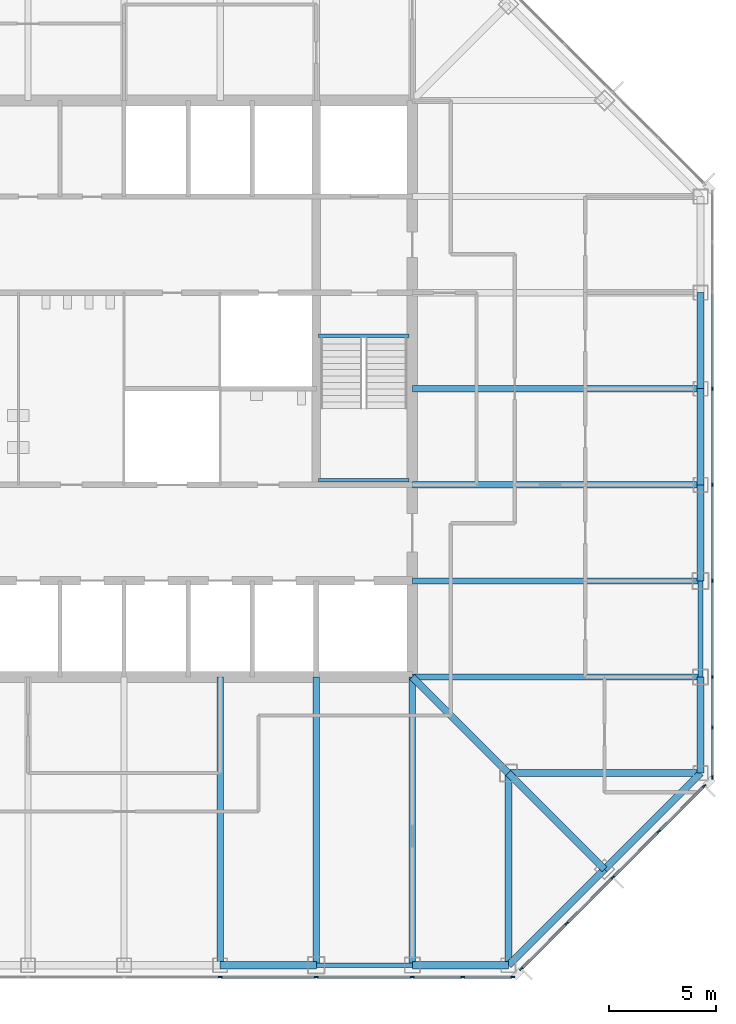
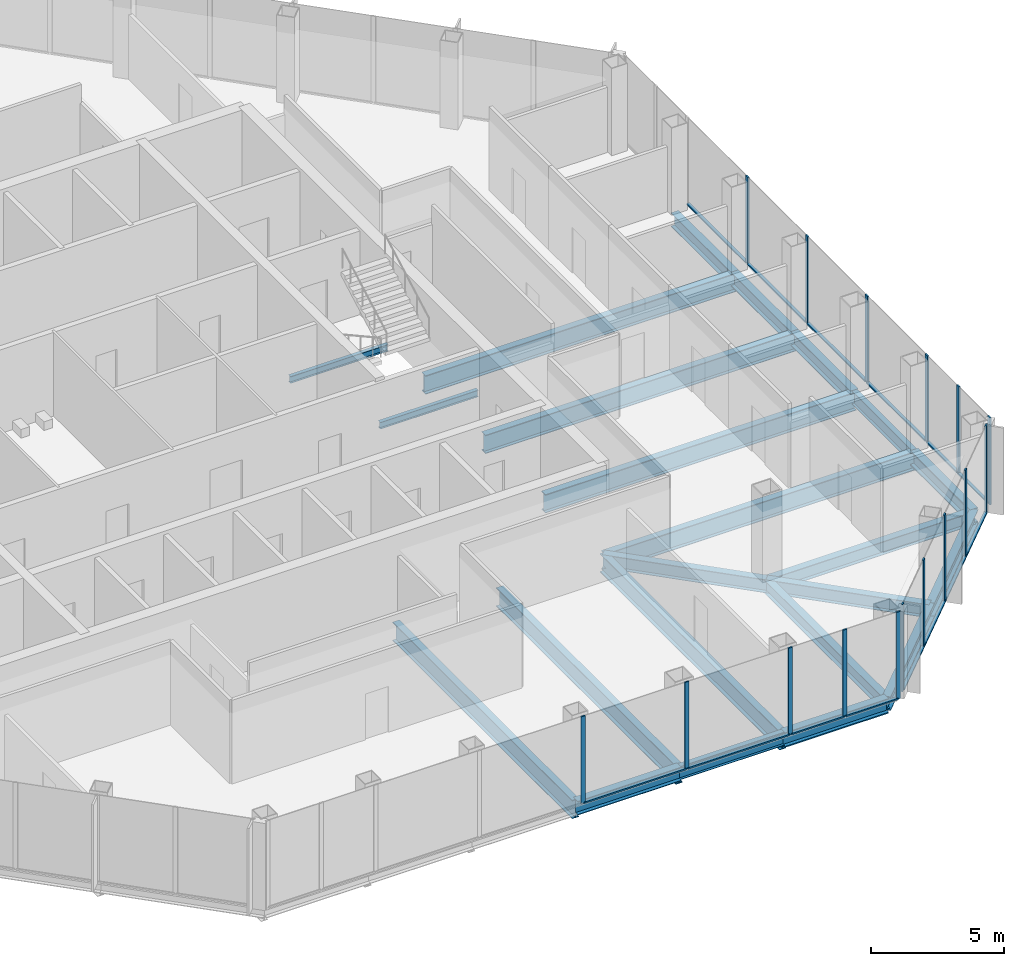
# One storey, part 4 of 13: 30 members, 23 beams, 3 elements without a shape of their own.
"""IFC4 building model written with IfcOpenShell, lengths in metres."""

from ifc_helpers import new_model, si_unit, direction, frame, origin, origin_2d, place, context, subcontext, project, spatial, rectangle, i_section, extrude, material, material_profile, profile_set, type_object, element, aggregate, save


model = new_model("IFC4")

# Units and contexts
model_context = context("Model", 3, precision=1e-05, world=origin(), true_north=direction((0.0, 1.0)))
body_context = subcontext(model_context, "Body", "Model", "MODEL_VIEW")
ifc_project = project(units=[si_unit("LENGTHUNIT", "METRE"), si_unit("AREAUNIT", "SQUARE_METRE"), si_unit("VOLUMEUNIT", "CUBIC_METRE"), si_unit("PLANEANGLEUNIT", "RADIAN"), si_unit("MASSUNIT", "GRAM", prefix="KILO")], contexts=[model_context])

# Site, building, storey
site_placement = place(None, origin())
site = spatial("IfcSite", under=ifc_project, at=site_placement, CompositionType="ELEMENT")
building_placement = place(site_placement, origin())
building = spatial("IfcBuilding", under=site, at=building_placement, Name="Corais Broadcast Tower", CompositionType="ELEMENT")
storey_placement = place(building_placement, frame((0.0, 0.0, 175.60009765625)))
storey = spatial("IfcBuildingStorey", under=building, at=storey_placement, Name="L40", CompositionType="ELEMENT", Elevation=175.60009765625)

# Beams
ifc_material_1 = material(Name="Steel ASTM A572 Grade 50", Category="steel")
ifc_material_profile_1 = material_profile(ifc_material_1, i_section(OverallWidth=0.323974609375, OverallDepth=0.611083984375, WebThickness=0.0126953125, FlangeThickness=0.01904296875, at=origin_2d()), Name="W610x155")
ifc_profile_set_1 = profile_set([ifc_material_profile_1], Name="Steel ASTM A572 Grade 50")
beam_type_1 = type_object("IfcBeamType", Name="Chamfer tie W610x155", PredefinedType="BEAM", material=ifc_profile_set_1)
beam_1_placement = place(storey_placement, frame((49.5, 4.5, -0.465576171875), z_axis=(-0.707106781187, 0.707106781187, 0.0), x_axis=(-0.707106781187, -0.707106781187, 0.0)))
element("IfcBeam", 1, at=beam_1_placement, inside=storey, type_object=beam_type_1, Name="B5 B/14 to C/13", PredefinedType="BEAM", context=body_context, shape_type="SweptSolid", body=[
    extrude(i_section(OverallWidth=0.323974609375, OverallDepth=0.611083984375, WebThickness=0.0126953125, FlangeThickness=0.01904296875, at=origin_2d()), origin(), (0.0, 0.0, 1.0), 6.364013671875),
])
ifc_material_2 = material(Name="Steel ASTM A572 Grade 50", Category="steel")
ifc_material_profile_2 = material_profile(ifc_material_2, i_section(OverallWidth=0.323974609375, OverallDepth=0.611083984375, WebThickness=0.0126953125, FlangeThickness=0.01904296875, at=origin_2d()), Name="W610x155")
ifc_profile_set_2 = profile_set([ifc_material_profile_2], Name="Steel ASTM A572 Grade 50")
beam_type_2 = type_object("IfcBeamType", Name="Corner diagonal W610x155", PredefinedType="BEAM", material=ifc_profile_set_2)
beam_2_placement = place(storey_placement, frame((45.0, 9.0, -0.465576171875), z_axis=(-0.707106781187, 0.707106781187, 0.0), x_axis=(-0.707106781187, -0.707106781187, 0.0)))
element("IfcBeam", 2, at=beam_2_placement, inside=storey, type_object=beam_type_2, Name="B6 C/13 to D/12", PredefinedType="BEAM", context=body_context, shape_type="SweptSolid", body=[
    extrude(i_section(OverallWidth=0.323974609375, OverallDepth=0.611083984375, WebThickness=0.0126953125, FlangeThickness=0.01904296875, at=origin_2d()), origin(), (0.0, 0.0, 1.0), 6.364013671875),
])
ifc_material_3 = material(Name="Steel ASTM A572 Grade 50", Category="steel")
ifc_material_profile_3 = material_profile(ifc_material_3, i_section(OverallWidth=0.323974609375, OverallDepth=0.611083984375, WebThickness=0.0126953125, FlangeThickness=0.01904296875, at=origin_2d()), Name="W610x155")
ifc_profile_set_3 = profile_set([ifc_material_profile_3], Name="Steel ASTM A572 Grade 50")
beam_type_3 = type_object("IfcBeamType", Name="Corner girder W610x155", PredefinedType="BEAM", material=ifc_profile_set_3)
for number, where, z_axis, x_axis, name in (
    (3, (45.0, 0.0, -0.465576171875), (0.0, 1.0, 0.0), (-1.0, 0.0, 0.0), "B4 A/13 to C/13"),
    (4, (54.0, 9.0, -0.465576171875), (-1.0, 0.0, 0.0), (0.0, -1.0, 0.0), "B4 C/15 to C/13"),
):
    element("IfcBeam", number, at=place(storey_placement, frame(where, z_axis=z_axis, x_axis=x_axis)), inside=storey, type_object=beam_type_3, Name=name, PredefinedType="BEAM", context=body_context, shape_type="SweptSolid", body=[
        extrude(i_section(OverallWidth=0.323974609375, OverallDepth=0.611083984375, WebThickness=0.0126953125, FlangeThickness=0.01904296875, at=origin_2d()), origin(), (0.0, 0.0, 1.0), 9.0),
    ])
ifc_material_4 = material(Name="Steel ASTM A572 Grade 50", Category="steel")
ifc_material_profile_4 = material_profile(ifc_material_4, i_section(OverallWidth=0.337890625, OverallDepth=0.677978515625, WebThickness=0.029541015625, FlangeThickness=0.052978515625, at=origin_2d()), Name="W610x415")
ifc_profile_set_4 = profile_set([ifc_material_profile_4], Name="Steel ASTM A572 Grade 50")
beam_type_4 = type_object("IfcBeamType", Name="Corner spandrel W610x415", PredefinedType="BEAM", material=ifc_profile_set_4)
for number, where, z_axis, x_axis, name in (
    (5, (40.5, 0.0, -0.4990234375), (1.0, 0.0, 0.0), (0.0, 1.0, 0.0), "SB10 A/12 to A/13"),
    (6, (54.0, 9.0, -0.4990234375), (0.0, 1.0, 0.0), (-1.0, 0.0, 0.0), "SB10 C/15 to D/15"),
):
    element("IfcBeam", number, at=place(storey_placement, frame(where, z_axis=z_axis, x_axis=x_axis)), inside=storey, type_object=beam_type_4, Name=name, PredefinedType="BEAM", context=body_context, shape_type="SweptSolid", body=[
        extrude(i_section(OverallWidth=0.337890625, OverallDepth=0.677978515625, WebThickness=0.029541015625, FlangeThickness=0.052978515625, at=origin_2d()), origin(), (0.0, 0.0, 1.0), 4.5),
    ])
ifc_material_5 = material(Name="Steel ASTM A572 Grade 50", Category="steel")
ifc_material_profile_5 = material_profile(ifc_material_5, i_section(OverallWidth=0.2939453125, OverallDepth=0.85107421875, WebThickness=0.01611328125, FlangeThickness=0.02685546875, at=origin_2d()), Name="W840x226")
ifc_profile_set_5 = profile_set([ifc_material_profile_5], Name="Steel ASTM A572 Grade 50")
beam_type_5 = type_object("IfcBeamType", Name="Floor beam W840x226", PredefinedType="BEAM", material=ifc_profile_set_5)
for number, where, z_axis, x_axis, name in (
    (7, (31.5, 0.0, -0.585693359375), (0.0, 1.0, 0.0), (-1.0, 0.0, 0.0), "B1 A/10 to D/10"),
    (8, (36.0, 0.0, -0.585693359375), (0.0, 1.0, 0.0), (-1.0, 0.0, 0.0), "B1 A/11 to D/11"),
    (9, (40.5, 0.0, -0.585693359375), (0.0, 1.0, 0.0), (-1.0, 0.0, 0.0), "B1 A/12 to D/12"),
    (10, (54.0, 13.5, -0.585693359375), (-1.0, 0.0, 0.0), (0.0, -1.0, 0.0), "B1 D/15 to D/12"),
    (11, (54.0, 18.0, -0.585693359375), (-1.0, 0.0, 0.0), (0.0, -1.0, 0.0), "B1 E/15 to E/12"),
    (12, (54.0, 22.5, -0.585693359375), (-1.0, 0.0, 0.0), (0.0, -1.0, 0.0), "B1 F/15 to F/12"),
    (13, (54.0, 27.0, -0.585693359375), (-1.0, 0.0, 0.0), (0.0, -1.0, 0.0), "B1 G/15 to G/12"),
):
    element("IfcBeam", number, at=place(storey_placement, frame(where, z_axis=z_axis, x_axis=x_axis)), inside=storey, type_object=beam_type_5, Name=name, PredefinedType="BEAM", context=body_context, shape_type="SweptSolid", body=[
        extrude(i_section(OverallWidth=0.2939453125, OverallDepth=0.85107421875, WebThickness=0.01611328125, FlangeThickness=0.02685546875, at=origin_2d()), origin(), (0.0, 0.0, 1.0), 13.5),
    ])
ifc_material_6 = material(Name="Steel ASTM A572 Grade 50", Category="steel")
ifc_material_profile_6 = material_profile(ifc_material_6, i_section(OverallWidth=0.1650390625, OverallDepth=0.31005859375, WebThickness=0.005859375, FlangeThickness=0.009765625, at=origin_2d()), Name="W310x38.7")
ifc_profile_set_6 = profile_set([ifc_material_profile_6], Name="Steel ASTM A572 Grade 50")
beam_type_6 = type_object("IfcBeamType", Name="Landing trimmer W310x38.7", PredefinedType="BEAM", material=ifc_profile_set_6)
for number, where, z_axis, x_axis, name in (
    (14, (36.10009765625, 29.47509765625, -0.35498046875), (1.0, 0.0, 0.0), (0.0, 1.0, 0.0), "LT1 stair B landing trimmer L40"),
    (15, (36.10009765625, 22.715087890625, 1.64501953125), (1.0, 0.0, 0.0), (0.0, 1.0, 0.0), "LT1 stair B half landing trimmer L40"),
):
    element("IfcBeam", number, at=place(storey_placement, frame(where, z_axis=z_axis, x_axis=x_axis)), inside=storey, type_object=beam_type_6, Name=name, PredefinedType="BEAM", context=body_context, shape_type="SweptSolid", body=[
        extrude(i_section(OverallWidth=0.1650390625, OverallDepth=0.31005859375, WebThickness=0.005859375, FlangeThickness=0.009765625, at=origin_2d()), origin(), (0.0, 0.0, 1.0), 4.25),
    ])

# Curtain wall, members
ifc_material_7 = material(Name="Aluminium and glass", Category="aluminium")
curtain_wall_type = type_object("IfcCurtainWallType", Name="Unitised fritted curtain wall CW2", PredefinedType="NOTDEFINED", material=ifc_material_7)
curtain_wall_1_placement = place(storey_placement, origin())
curtain_wall_1 = element("IfcCurtainWall", 16, at=curtain_wall_1_placement, inside=storey, type_object=curtain_wall_type, Name="CW2 curtain wall L40 6", PredefinedType="NOTDEFINED")
ifc_material_8 = material(Name="Aluminium 6063-T6", Category="aluminium")
ifc_material_profile_7 = material_profile(ifc_material_8, rectangle(XDim=0.06494140625, YDim=0.179931640625, at=origin_2d()), Name="Mullion CW2 65x180")
ifc_profile_set_7 = profile_set([ifc_material_profile_7], Name="Aluminium 6063-T6")
member_type_1 = type_object("IfcMemberType", Name="Mullion CW2 65x180", PredefinedType="MULLION", material=ifc_profile_set_7)
member_1_placement = place(storey_placement, frame((54.550048828125, 27.0, 0.0), z_axis=(0.0, 0.0, 1.0), x_axis=(1.0, 0.0, 0.0)))
member_1 = element("IfcMember", 17, at=member_1_placement, type_object=member_type_1, Name="CW2 mullion 4", PredefinedType="MULLION", context=body_context, shape_type="SweptSolid", body=[
    extrude(rectangle(XDim=0.06494140625, YDim=0.179931640625, at=origin_2d()), origin(), (0.0, 0.0, 1.0), 4.0),
])
member_2_placement = place(storey_placement, frame((54.550048828125, 22.5, 0.0), z_axis=(0.0, 0.0, 1.0), x_axis=(1.0, 0.0, 0.0)))
member_2 = element("IfcMember", 18, at=member_2_placement, type_object=member_type_1, Name="CW2 mullion 5", PredefinedType="MULLION", context=body_context, shape_type="SweptSolid", body=[
    extrude(rectangle(XDim=0.06494140625, YDim=0.179931640625, at=origin_2d()), origin(), (0.0, 0.0, 1.0), 4.0),
])
member_3_placement = place(storey_placement, frame((54.550048828125, 18.0, 0.0), z_axis=(0.0, 0.0, 1.0), x_axis=(1.0, 0.0, 0.0)))
member_3 = element("IfcMember", 19, at=member_3_placement, type_object=member_type_1, Name="CW2 mullion 6", PredefinedType="MULLION", context=body_context, shape_type="SweptSolid", body=[
    extrude(rectangle(XDim=0.06494140625, YDim=0.179931640625, at=origin_2d()), origin(), (0.0, 0.0, 1.0), 4.0),
])
member_4_placement = place(storey_placement, frame((54.550048828125, 13.5, 0.0), z_axis=(0.0, 0.0, 1.0), x_axis=(1.0, 0.0, 0.0)))
member_4 = element("IfcMember", 20, at=member_4_placement, type_object=member_type_1, Name="CW2 mullion 7", PredefinedType="MULLION", context=body_context, shape_type="SweptSolid", body=[
    extrude(rectangle(XDim=0.06494140625, YDim=0.179931640625, at=origin_2d()), origin(), (0.0, 0.0, 1.0), 4.0),
])
member_5_placement = place(storey_placement, frame((54.550048828125, 11.135986328125, 0.0), z_axis=(0.0, 0.0, 1.0), x_axis=(1.0, 0.0, 0.0)))
member_5 = element("IfcMember", 21, at=member_5_placement, type_object=member_type_1, Name="CW2 mullion 8", PredefinedType="MULLION", context=body_context, shape_type="SweptSolid", body=[
    extrude(rectangle(XDim=0.06494140625, YDim=0.179931640625, at=origin_2d()), origin(), (0.0, 0.0, 1.0), 4.0),
])
member_6_placement = place(storey_placement, frame((54.550048828125, 8.8046875, 0.0), z_axis=(0.0, 0.0, 1.0), x_axis=(1.0, 0.0, 0.0)))
member_6 = element("IfcMember", 22, at=member_6_placement, type_object=member_type_1, Name="CW2 mullion 9", PredefinedType="MULLION", context=body_context, shape_type="SweptSolid", body=[
    extrude(rectangle(XDim=0.06494140625, YDim=0.179931640625, at=origin_2d()), origin(), (0.0, 0.0, 1.0), 4.0),
])

curtain_wall_2_placement = place(storey_placement, origin())
curtain_wall_2 = element("IfcCurtainWall", 23, at=curtain_wall_2_placement, inside=storey, type_object=curtain_wall_type, Name="CW2 curtain wall L40 7", PredefinedType="NOTDEFINED")
member_7_placement = place(storey_placement, frame((54.17333984375, 8.3955078125, 0.0), z_axis=(0.0, 0.0, 1.0), x_axis=(0.707106781187, -0.707106781187, 0.0)))
member_7 = element("IfcMember", 24, at=member_7_placement, type_object=member_type_1, Name="CW2 mullion 1", PredefinedType="MULLION", context=body_context, shape_type="SweptSolid", body=[
    extrude(rectangle(XDim=0.06494140625, YDim=0.179931640625, at=origin_2d()), origin(), (0.0, 0.0, 1.0), 4.0),
])
member_8_placement = place(storey_placement, frame((52.042724609375, 6.264892578125, 0.0), z_axis=(0.0, 0.0, 1.0), x_axis=(0.707106781187, -0.707106781187, 0.0)))
member_8 = element("IfcMember", 25, at=member_8_placement, type_object=member_type_1, Name="CW2 mullion 2", PredefinedType="MULLION", context=body_context, shape_type="SweptSolid", body=[
    extrude(rectangle(XDim=0.06494140625, YDim=0.179931640625, at=origin_2d()), origin(), (0.0, 0.0, 1.0), 4.0),
])
member_9_placement = place(storey_placement, frame((49.888916015625, 4.111083984375, 0.0), z_axis=(0.0, 0.0, 1.0), x_axis=(0.707106781187, -0.707106781187, 0.0)))
member_9 = element("IfcMember", 26, at=member_9_placement, type_object=member_type_1, Name="CW2 mullion 3", PredefinedType="MULLION", context=body_context, shape_type="SweptSolid", body=[
    extrude(rectangle(XDim=0.06494140625, YDim=0.179931640625, at=origin_2d()), origin(), (0.0, 0.0, 1.0), 4.0),
])
member_10_placement = place(storey_placement, frame((47.735107421875, 1.957275390625, 0.0), z_axis=(0.0, 0.0, 1.0), x_axis=(0.707106781187, -0.707106781187, 0.0)))
member_10 = element("IfcMember", 27, at=member_10_placement, type_object=member_type_1, Name="CW2 mullion 4", PredefinedType="MULLION", context=body_context, shape_type="SweptSolid", body=[
    extrude(rectangle(XDim=0.06494140625, YDim=0.179931640625, at=origin_2d()), origin(), (0.0, 0.0, 1.0), 4.0),
])
member_11_placement = place(storey_placement, frame((45.6044921875, -0.17333984375, 0.0), z_axis=(0.0, 0.0, 1.0), x_axis=(0.707106781187, -0.707106781187, 0.0)))
member_11 = element("IfcMember", 28, at=member_11_placement, type_object=member_type_1, Name="CW2 mullion 5", PredefinedType="MULLION", context=body_context, shape_type="SweptSolid", body=[
    extrude(rectangle(XDim=0.06494140625, YDim=0.179931640625, at=origin_2d()), origin(), (0.0, 0.0, 1.0), 4.0),
])

curtain_wall_3_placement = place(storey_placement, origin())
curtain_wall_3 = element("IfcCurtainWall", 29, at=curtain_wall_3_placement, inside=storey, type_object=curtain_wall_type, Name="CW2 curtain wall L40 8", PredefinedType="NOTDEFINED")
member_12_placement = place(storey_placement, frame((45.1953125, -0.550048828125, 0.0), z_axis=(0.0, 0.0, 1.0), x_axis=(0.0, -1.0, 0.0)))
member_12 = element("IfcMember", 30, at=member_12_placement, type_object=member_type_1, Name="CW2 mullion 1", PredefinedType="MULLION", context=body_context, shape_type="SweptSolid", body=[
    extrude(rectangle(XDim=0.06494140625, YDim=0.179931640625, at=origin_2d()), origin(), (0.0, 0.0, 1.0), 4.0),
])
member_13_placement = place(storey_placement, frame((42.864013671875, -0.550048828125, 0.0), z_axis=(0.0, 0.0, 1.0), x_axis=(0.0, -1.0, 0.0)))
member_13 = element("IfcMember", 31, at=member_13_placement, type_object=member_type_1, Name="CW2 mullion 2", PredefinedType="MULLION", context=body_context, shape_type="SweptSolid", body=[
    extrude(rectangle(XDim=0.06494140625, YDim=0.179931640625, at=origin_2d()), origin(), (0.0, 0.0, 1.0), 4.0),
])
member_14_placement = place(storey_placement, frame((40.5, -0.550048828125, 0.0), z_axis=(0.0, 0.0, 1.0), x_axis=(0.0, -1.0, 0.0)))
member_14 = element("IfcMember", 32, at=member_14_placement, type_object=member_type_1, Name="CW2 mullion 3", PredefinedType="MULLION", context=body_context, shape_type="SweptSolid", body=[
    extrude(rectangle(XDim=0.06494140625, YDim=0.179931640625, at=origin_2d()), origin(), (0.0, 0.0, 1.0), 4.0),
])
member_15_placement = place(storey_placement, frame((36.0, -0.550048828125, 0.0), z_axis=(0.0, 0.0, 1.0), x_axis=(0.0, -1.0, 0.0)))
member_15 = element("IfcMember", 33, at=member_15_placement, type_object=member_type_1, Name="CW2 mullion 4", PredefinedType="MULLION", context=body_context, shape_type="SweptSolid", body=[
    extrude(rectangle(XDim=0.06494140625, YDim=0.179931640625, at=origin_2d()), origin(), (0.0, 0.0, 1.0), 4.0),
])
member_16_placement = place(storey_placement, frame((31.5, -0.550048828125, 0.0), z_axis=(0.0, 0.0, 1.0), x_axis=(0.0, -1.0, 0.0)))
member_16 = element("IfcMember", 34, at=member_16_placement, type_object=member_type_1, Name="CW2 mullion 5", PredefinedType="MULLION", context=body_context, shape_type="SweptSolid", body=[
    extrude(rectangle(XDim=0.06494140625, YDim=0.179931640625, at=origin_2d()), origin(), (0.0, 0.0, 1.0), 4.0),
])

# Beams
ifc_material_9 = material(Name="Steel ASTM A572 Grade 50", Category="steel")
ifc_material_profile_8 = material_profile(ifc_material_9, i_section(OverallWidth=0.22900390625, OverallDepth=0.612060546875, WebThickness=0.011962890625, FlangeThickness=0.01953125, at=origin_2d()), Name="W610x125")
ifc_profile_set_8 = profile_set([ifc_material_profile_8], Name="Steel ASTM A572 Grade 50")
beam_type_7 = type_object("IfcBeamType", Name="Pinned spandrel W610x125", PredefinedType="BEAM", material=ifc_profile_set_8)
for number, where, z_axis, x_axis, name in (
    (35, (36.0, 0.0, -0.466064453125), (1.0, 0.0, 0.0), (0.0, 1.0, 0.0), "SB7 A/11 to A/12"),
    (36, (54.0, 13.5, -0.466064453125), (0.0, 1.0, 0.0), (-1.0, 0.0, 0.0), "SB7 D/15 to E/15"),
):
    element("IfcBeam", number, at=place(storey_placement, frame(where, z_axis=z_axis, x_axis=x_axis)), inside=storey, type_object=beam_type_7, Name=name, PredefinedType="BEAM", context=body_context, shape_type="SweptSolid", body=[
        extrude(i_section(OverallWidth=0.22900390625, OverallDepth=0.612060546875, WebThickness=0.011962890625, FlangeThickness=0.01953125, at=origin_2d()), origin(), (0.0, 0.0, 1.0), 4.5),
    ])
ifc_material_10 = material(Name="Steel ASTM A572 Grade 50", Category="steel")
ifc_material_profile_9 = material_profile(ifc_material_10, i_section(OverallWidth=0.3291015625, OverallDepth=0.635009765625, WebThickness=0.017822265625, FlangeThickness=0.031005859375, at=origin_2d()), Name="W610x241")
ifc_profile_set_9 = profile_set([ifc_material_profile_9], Name="Steel ASTM A572 Grade 50")
beam_type_8 = type_object("IfcBeamType", Name="Spandrel W610x241", PredefinedType="BEAM", material=ifc_profile_set_9)
beam_3_placement = place(storey_placement, frame((31.5, 0.0, -0.4775390625), z_axis=(1.0, 0.0, 0.0), x_axis=(0.0, 1.0, 0.0)))
element("IfcBeam", 37, at=beam_3_placement, inside=storey, type_object=beam_type_8, Name="SB1 A/10 to A/11", PredefinedType="BEAM", context=body_context, shape_type="SweptSolid", body=[
    extrude(i_section(OverallWidth=0.3291015625, OverallDepth=0.635009765625, WebThickness=0.017822265625, FlangeThickness=0.031005859375, at=origin_2d()), origin(), (0.0, 0.0, 1.0), 4.5),
])
for number, where, z_axis, x_axis, name in (
    (38, (45.0, 0.0, -0.4775390625), (0.707106781187, 0.707106781187, 0.0), (-0.707106781187, 0.707106781187, 0.0), "SB1 A/13 to B/14"),
    (39, (49.5, 4.5, -0.4775390625), (0.707106781187, 0.707106781187, 0.0), (-0.707106781187, 0.707106781187, 0.0), "SB1 B/14 to C/15"),
):
    element("IfcBeam", number, at=place(storey_placement, frame(where, z_axis=z_axis, x_axis=x_axis)), inside=storey, type_object=beam_type_8, Name=name, PredefinedType="BEAM", context=body_context, shape_type="SweptSolid", body=[
        extrude(i_section(OverallWidth=0.3291015625, OverallDepth=0.635009765625, WebThickness=0.017822265625, FlangeThickness=0.031005859375, at=origin_2d()), origin(), (0.0, 0.0, 1.0), 6.364013671875),
    ])
for number, where, z_axis, x_axis, name in (
    (40, (54.0, 18.0, -0.4775390625), (0.0, 1.0, 0.0), (-1.0, 0.0, 0.0), "SB1 E/15 to F/15"),
    (41, (54.0, 22.5, -0.4775390625), (0.0, 1.0, 0.0), (-1.0, 0.0, 0.0), "SB1 F/15 to G/15"),
    (42, (54.0, 27.0, -0.4775390625), (0.0, 1.0, 0.0), (-1.0, 0.0, 0.0), "SB1 G/15 to H/15"),
):
    element("IfcBeam", number, at=place(storey_placement, frame(where, z_axis=z_axis, x_axis=x_axis)), inside=storey, type_object=beam_type_8, Name=name, PredefinedType="BEAM", context=body_context, shape_type="SweptSolid", body=[
        extrude(i_section(OverallWidth=0.3291015625, OverallDepth=0.635009765625, WebThickness=0.017822265625, FlangeThickness=0.031005859375, at=origin_2d()), origin(), (0.0, 0.0, 1.0), 4.5),
    ])

# Member
ifc_material_11 = material(Name="Aluminium 6063-T6", Category="aluminium")
ifc_material_profile_10 = material_profile(ifc_material_11, rectangle(XDim=0.1298828125, YDim=0.06494140625, at=origin_2d()), Name="Transom CW2 65x130")
ifc_profile_set_10 = profile_set([ifc_material_profile_10], Name="Aluminium 6063-T6")
member_type_2 = type_object("IfcMemberType", Name="Transom CW2 65x130", PredefinedType="USERDEFINED", material=ifc_profile_set_10)
member_17_placement = place(storey_placement, frame((54.550048828125, 31.467529296875, 0.032470703125), z_axis=(0.0, -1.0, 0.0), x_axis=(1.0, 0.0, 0.0)))
member_17 = element("IfcMember", 43, at=member_17_placement, type_object=member_type_2, Name="CW2 transom 3.1", ObjectType="TRANSOM", PredefinedType="USERDEFINED", context=body_context, shape_type="SweptSolid", body=[
    extrude(rectangle(XDim=0.1298828125, YDim=0.06494140625, at=origin_2d()), origin(), (0.0, 0.0, 1.0), 4.43505859375),
])

member_18_placement = place(storey_placement, frame((54.550048828125, 26.967529296875, 0.032470703125), z_axis=(0.0, -1.0, 0.0), x_axis=(1.0, 0.0, 0.0)))
member_18 = element("IfcMember", 44, at=member_18_placement, type_object=member_type_2, Name="CW2 transom 4.1", ObjectType="TRANSOM", PredefinedType="USERDEFINED", context=body_context, shape_type="SweptSolid", body=[
    extrude(rectangle(XDim=0.1298828125, YDim=0.06494140625, at=origin_2d()), origin(), (0.0, 0.0, 1.0), 4.43505859375),
])

member_19_placement = place(storey_placement, frame((54.550048828125, 22.467529296875, 0.032470703125), z_axis=(0.0, -1.0, 0.0), x_axis=(1.0, 0.0, 0.0)))
member_19 = element("IfcMember", 45, at=member_19_placement, type_object=member_type_2, Name="CW2 transom 5.1", ObjectType="TRANSOM", PredefinedType="USERDEFINED", context=body_context, shape_type="SweptSolid", body=[
    extrude(rectangle(XDim=0.1298828125, YDim=0.06494140625, at=origin_2d()), origin(), (0.0, 0.0, 1.0), 4.43505859375),
])

member_20_placement = place(storey_placement, frame((54.550048828125, 17.967529296875, 0.032470703125), z_axis=(0.0, -1.0, 0.0), x_axis=(1.0, 0.0, 0.0)))
member_20 = element("IfcMember", 46, at=member_20_placement, type_object=member_type_2, Name="CW2 transom 6.1", ObjectType="TRANSOM", PredefinedType="USERDEFINED", context=body_context, shape_type="SweptSolid", body=[
    extrude(rectangle(XDim=0.1298828125, YDim=0.06494140625, at=origin_2d()), origin(), (0.0, 0.0, 1.0), 4.43505859375),
])

member_21_placement = place(storey_placement, frame((54.550048828125, 13.467529296875, 0.032470703125), z_axis=(0.0, -1.0, 0.0), x_axis=(1.0, 0.0, 0.0)))
member_21 = element("IfcMember", 47, at=member_21_placement, type_object=member_type_2, Name="CW2 transom 7.1", ObjectType="TRANSOM", PredefinedType="USERDEFINED", context=body_context, shape_type="SweptSolid", body=[
    extrude(rectangle(XDim=0.1298828125, YDim=0.06494140625, at=origin_2d()), origin(), (0.0, 0.0, 1.0), 2.298828125),
])

member_22_placement = place(storey_placement, frame((54.550048828125, 11.103515625, 0.032470703125), z_axis=(0.0, -1.0, 0.0), x_axis=(1.0, 0.0, 0.0)))
member_22 = element("IfcMember", 48, at=member_22_placement, type_object=member_type_2, Name="CW2 transom 8.1", ObjectType="TRANSOM", PredefinedType="USERDEFINED", context=body_context, shape_type="SweptSolid", body=[
    extrude(rectangle(XDim=0.1298828125, YDim=0.06494140625, at=origin_2d()), origin(), (0.0, 0.0, 1.0), 2.266357421875),
])

aggregate(curtain_wall_1, [member_1, member_2, member_3, member_4, member_5, member_6, member_17, member_18, member_19, member_20, member_21, member_22])

member_23_placement = place(storey_placement, frame((54.150390625, 8.37255859375, 0.032470703125), z_axis=(-0.707106781187, -0.707106781187, 0.0), x_axis=(0.707106781187, -0.707106781187, 0.0)))
member_23 = element("IfcMember", 49, at=member_23_placement, type_object=member_type_2, Name="CW2 transom 1.1", ObjectType="TRANSOM", PredefinedType="USERDEFINED", context=body_context, shape_type="SweptSolid", body=[
    extrude(rectangle(XDim=0.1298828125, YDim=0.06494140625, at=origin_2d()), origin(), (0.0, 0.0, 1.0), 2.9482421875),
])

member_24_placement = place(storey_placement, frame((52.019775390625, 6.241943359375, 0.032470703125), z_axis=(-0.707106781187, -0.707106781187, 0.0), x_axis=(0.707106781187, -0.707106781187, 0.0)))
member_24 = element("IfcMember", 50, at=member_24_placement, type_object=member_type_2, Name="CW2 transom 2.1", ObjectType="TRANSOM", PredefinedType="USERDEFINED", context=body_context, shape_type="SweptSolid", body=[
    extrude(rectangle(XDim=0.1298828125, YDim=0.06494140625, at=origin_2d()), origin(), (0.0, 0.0, 1.0), 2.98095703125),
])

member_25_placement = place(storey_placement, frame((49.865966796875, 4.088134765625, 0.032470703125), z_axis=(-0.707106781187, -0.707106781187, 0.0), x_axis=(0.707106781187, -0.707106781187, 0.0)))
member_25 = element("IfcMember", 51, at=member_25_placement, type_object=member_type_2, Name="CW2 transom 3.1", ObjectType="TRANSOM", PredefinedType="USERDEFINED", context=body_context, shape_type="SweptSolid", body=[
    extrude(rectangle(XDim=0.1298828125, YDim=0.06494140625, at=origin_2d()), origin(), (0.0, 0.0, 1.0), 2.98095703125),
])

member_26_placement = place(storey_placement, frame((47.712158203125, 1.934326171875, 0.032470703125), z_axis=(-0.707106781187, -0.707106781187, 0.0), x_axis=(0.707106781187, -0.707106781187, 0.0)))
member_26 = element("IfcMember", 52, at=member_26_placement, type_object=member_type_2, Name="CW2 transom 4.1", ObjectType="TRANSOM", PredefinedType="USERDEFINED", context=body_context, shape_type="SweptSolid", body=[
    extrude(rectangle(XDim=0.1298828125, YDim=0.06494140625, at=origin_2d()), origin(), (0.0, 0.0, 1.0), 2.9482421875),
])

aggregate(curtain_wall_2, [member_7, member_8, member_9, member_10, member_11, member_23, member_24, member_25, member_26])

member_27_placement = place(storey_placement, frame((45.162841796875, -0.550048828125, 0.032470703125), z_axis=(-1.0, 0.0, 0.0), x_axis=(0.0, -1.0, 0.0)))
member_27 = element("IfcMember", 53, at=member_27_placement, type_object=member_type_2, Name="CW2 transom 1.1", ObjectType="TRANSOM", PredefinedType="USERDEFINED", context=body_context, shape_type="SweptSolid", body=[
    extrude(rectangle(XDim=0.1298828125, YDim=0.06494140625, at=origin_2d()), origin(), (0.0, 0.0, 1.0), 2.266357421875),
])

member_28_placement = place(storey_placement, frame((42.831298828125, -0.550048828125, 0.032470703125), z_axis=(-1.0, 0.0, 0.0), x_axis=(0.0, -1.0, 0.0)))
member_28 = element("IfcMember", 54, at=member_28_placement, type_object=member_type_2, Name="CW2 transom 2.1", ObjectType="TRANSOM", PredefinedType="USERDEFINED", context=body_context, shape_type="SweptSolid", body=[
    extrude(rectangle(XDim=0.1298828125, YDim=0.06494140625, at=origin_2d()), origin(), (0.0, 0.0, 1.0), 2.298828125),
])

member_29_placement = place(storey_placement, frame((40.467529296875, -0.550048828125, 0.032470703125), z_axis=(-1.0, 0.0, 0.0), x_axis=(0.0, -1.0, 0.0)))
member_29 = element("IfcMember", 55, at=member_29_placement, type_object=member_type_2, Name="CW2 transom 3.1", ObjectType="TRANSOM", PredefinedType="USERDEFINED", context=body_context, shape_type="SweptSolid", body=[
    extrude(rectangle(XDim=0.1298828125, YDim=0.06494140625, at=origin_2d()), origin(), (0.0, 0.0, 1.0), 4.43505859375),
])

member_30_placement = place(storey_placement, frame((35.967529296875, -0.550048828125, 0.032470703125), z_axis=(-1.0, 0.0, 0.0), x_axis=(0.0, -1.0, 0.0)))
member_30 = element("IfcMember", 56, at=member_30_placement, type_object=member_type_2, Name="CW2 transom 4.1", ObjectType="TRANSOM", PredefinedType="USERDEFINED", context=body_context, shape_type="SweptSolid", body=[
    extrude(rectangle(XDim=0.1298828125, YDim=0.06494140625, at=origin_2d()), origin(), (0.0, 0.0, 1.0), 4.43505859375),
])

aggregate(curtain_wall_3, [member_12, member_13, member_14, member_15, member_16, member_27, member_28, member_29, member_30])

save(model, "model.ifc")
